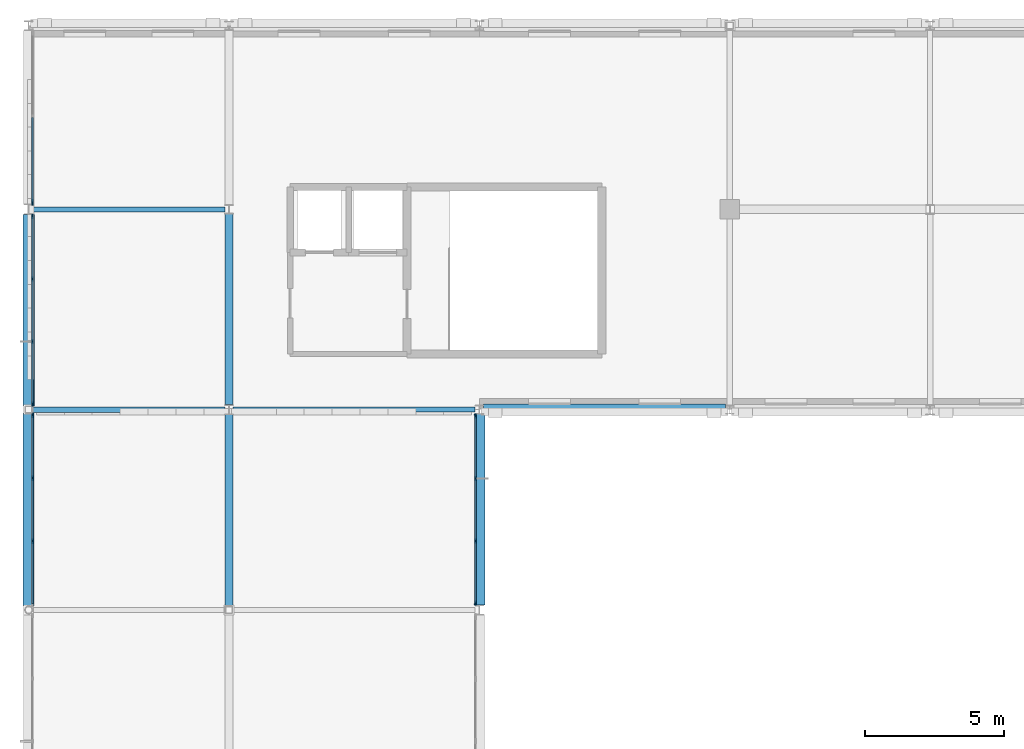
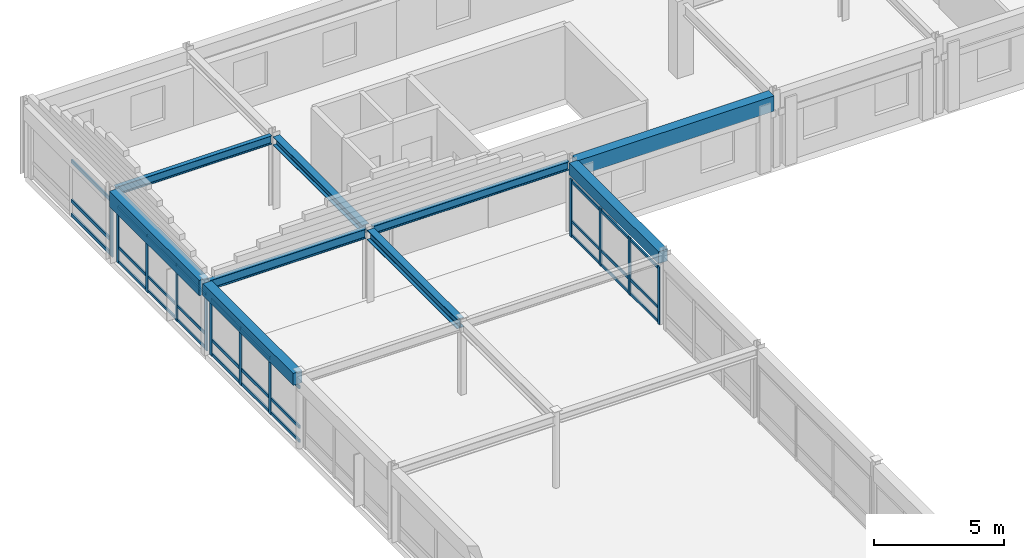
# One storey, part 15 of 52: 42 members, 9 beams, 4 elements without a shape of their own.
"""IFC4 building model written with IfcOpenShell, lengths in metres."""

from ifc_helpers import new_model, si_unit, direction, frame, origin, origin_2d, place, context, subcontext, project, spatial, rectangle, i_section, extrude, material, material_profile, profile_set, type_object, element, aggregate, save


model = new_model("IFC4")

# Units and contexts
model_context = context("Model", 3, precision=1e-05, world=origin(), true_north=direction((0.0, 1.0)))
body_context = subcontext(model_context, "Body", "Model", "MODEL_VIEW")
ifc_project = project(units=[si_unit("LENGTHUNIT", "METRE"), si_unit("AREAUNIT", "SQUARE_METRE"), si_unit("VOLUMEUNIT", "CUBIC_METRE"), si_unit("PLANEANGLEUNIT", "RADIAN"), si_unit("MASSUNIT", "GRAM", prefix="KILO")], contexts=[model_context])

# Site, building, storey
site_placement = place(None, origin())
site = spatial("IfcSite", under=ifc_project, at=site_placement, CompositionType="ELEMENT")
building_placement = place(site_placement, origin())
building = spatial("IfcBuilding", under=site, at=building_placement, Name="Clarverna Civic Hall", CompositionType="ELEMENT")
storey_placement = place(building_placement, frame((0.0, 0.0, 16.800048828125)))
storey = spatial("IfcBuildingStorey", under=building, at=storey_placement, Name="L04", CompositionType="ELEMENT", Elevation=16.800048828125)

# Beams
ifc_material_1 = material(Name="Concrete C35/45", Category="concrete")
ifc_material_profile_1 = material_profile(ifc_material_1, rectangle(XDim=0.419921875, YDim=0.719970703125, at=origin_2d()), Name="RC 420x720")
ifc_profile_set_1 = profile_set([ifc_material_profile_1], Name="Concrete C35/45")
beam_type_1 = type_object("IfcBeamType", Name="B-SP1", PredefinedType="SPANDREL", material=ifc_profile_set_1)
beam_1_placement = place(storey_placement, frame((16.35009765625, 102.199951171875, 3.06005859375), z_axis=(1.0, 0.0, 0.0), x_axis=(0.0, 1.0, 0.0)))
element("IfcBeam", 1, at=beam_1_placement, inside=storey, type_object=beam_type_1, Name="B-SP1-130", PredefinedType="SPANDREL", context=body_context, shape_type="SweptSolid", body=[
    extrude(rectangle(XDim=0.419921875, YDim=0.719970703125, at=origin_2d()), origin(), (0.0, 0.0, 1.0), 8.699951171875),
])
beam_2_placement = place(storey_placement, frame((0.0, 102.324951171875, 3.06005859375), z_axis=(0.0, 1.0, 0.0), x_axis=(-1.0, 0.0, 0.0)))
element("IfcBeam", 2, at=beam_2_placement, inside=storey, type_object=beam_type_1, Name="B-SP1-136", PredefinedType="SPANDREL", context=body_context, shape_type="SweptSolid", body=[
    extrude(rectangle(XDim=0.419921875, YDim=0.719970703125, at=origin_2d()), origin(), (0.0, 0.0, 1.0), 6.89501953125),
])
ifc_material_profile_2 = material_profile(ifc_material_1, rectangle(XDim=0.39990234375, YDim=0.56005859375, at=origin_2d()), Name="RC 400x560")
ifc_profile_set_2 = profile_set([ifc_material_profile_2], Name="Concrete C35/45")
beam_type_2 = type_object("IfcBeamType", Name="B-SP4", PredefinedType="SPANDREL", material=ifc_profile_set_2)
beam_3_placement = place(storey_placement, frame((0.0, 95.136474609375, 3.139892578125), z_axis=(0.0, 1.0, 0.0), x_axis=(-1.0, 0.0, 0.0)))
element("IfcBeam", 3, at=beam_3_placement, inside=storey, type_object=beam_type_2, Name="B-SP4-139", PredefinedType="SPANDREL", context=body_context, shape_type="SweptSolid", body=[
    extrude(rectangle(XDim=0.39990234375, YDim=0.56005859375, at=origin_2d()), origin(), (0.0, 0.0, 1.0), 6.9384765625),
])
beam_4_placement = place(storey_placement, frame((16.199951171875, 95.169921875, 3.139892578125), z_axis=(0.0, 1.0, 0.0), x_axis=(-1.0, 0.0, 0.0)))
element("IfcBeam", 4, at=beam_4_placement, inside=storey, type_object=beam_type_2, Name="B-SP4-141", PredefinedType="SPANDREL", context=body_context, shape_type="SweptSolid", body=[
    extrude(rectangle(XDim=0.39990234375, YDim=0.56005859375, at=origin_2d()), origin(), (0.0, 0.0, 1.0), 6.8701171875),
])
ifc_material_2 = material(Name="Steel S355", Category="steel")
ifc_material_profile_3 = material_profile(ifc_material_2, i_section(OverallWidth=0.18994140625, OverallDepth=0.449951171875, WebThickness=0.009521484375, FlangeThickness=0.0146484375, FilletRadius=0.02099609375, at=origin_2d()), Name="IPE 450")
ifc_profile_set_3 = profile_set([ifc_material_profile_3], Name="Steel S355")
beam_type_3 = type_object("IfcBeamType", Name="B-ST13", PredefinedType="BEAM", material=ifc_profile_set_3)
beam_5_placement = place(storey_placement, frame((0.125, 102.199951171875, 3.195068359375), z_axis=(1.0, 0.0, 0.0), x_axis=(0.0, 1.0, 0.0)))
element("IfcBeam", 5, at=beam_5_placement, inside=storey, type_object=beam_type_3, Name="B-ST13-020", PredefinedType="BEAM", context=body_context, shape_type="SweptSolid", body=[
    extrude(i_section(OverallWidth=0.18994140625, OverallDepth=0.449951171875, WebThickness=0.009521484375, FlangeThickness=0.0146484375, FilletRadius=0.02099609375, at=origin_2d()), origin(), (0.0, 0.0, 1.0), 6.925048828125),
])
ifc_material_profile_4 = material_profile(ifc_material_2, i_section(OverallWidth=0.179931640625, OverallDepth=0.39990234375, WebThickness=0.008544921875, FlangeThickness=0.013427734375, FilletRadius=0.02099609375, at=origin_2d()), Name="IPE 400")
ifc_profile_set_4 = profile_set([ifc_material_profile_4], Name="Steel S355")
beam_type_4 = type_object("IfcBeamType", Name="B-ST14", PredefinedType="BEAM", material=ifc_profile_set_4)
beam_6_placement = place(storey_placement, frame((7.35009765625, 102.199951171875, 3.219970703125), z_axis=(1.0, 0.0, 0.0), x_axis=(0.0, 1.0, 0.0)))
element("IfcBeam", 6, at=beam_6_placement, inside=storey, type_object=beam_type_4, Name="B-ST14-022", PredefinedType="BEAM", context=body_context, shape_type="SweptSolid", body=[
    extrude(i_section(OverallWidth=0.179931640625, OverallDepth=0.39990234375, WebThickness=0.008544921875, FlangeThickness=0.013427734375, FilletRadius=0.02099609375, at=origin_2d()), origin(), (0.0, 0.0, 1.0), 8.699951171875),
])
beam_7_placement = place(storey_placement, frame((0.14990234375, 109.39990234375, 3.219970703125), z_axis=(1.0, 0.0, 0.0), x_axis=(0.0, 1.0, 0.0)))
element("IfcBeam", 7, at=beam_7_placement, inside=storey, type_object=beam_type_4, Name="B-ST14-023", PredefinedType="BEAM", context=body_context, shape_type="SweptSolid", body=[
    extrude(i_section(OverallWidth=0.179931640625, OverallDepth=0.39990234375, WebThickness=0.008544921875, FlangeThickness=0.013427734375, FilletRadius=0.02099609375, at=origin_2d()), origin(), (0.0, 0.0, 1.0), 6.900146484375),
])
ifc_material_profile_5 = material_profile(ifc_material_2, i_section(OverallWidth=0.300048828125, OverallDepth=0.449951171875, WebThickness=0.013916015625, FlangeThickness=0.02587890625, FilletRadius=0.027099609375, at=origin_2d()), Name="HEB 450")
ifc_profile_set_5 = profile_set([ifc_material_profile_5], Name="Steel S355")
beam_type_5 = type_object("IfcBeamType", Name="B-ST3", PredefinedType="BEAM", material=ifc_profile_set_5)
beam_8_placement = place(storey_placement, frame((7.199951171875, 95.125, 3.195068359375), z_axis=(0.0, 1.0, 0.0), x_axis=(-1.0, 0.0, 0.0)))
element("IfcBeam", 8, at=beam_8_placement, inside=storey, type_object=beam_type_5, Name="B-ST3-020", PredefinedType="BEAM", context=body_context, shape_type="SweptSolid", body=[
    extrude(i_section(OverallWidth=0.300048828125, OverallDepth=0.449951171875, WebThickness=0.013916015625, FlangeThickness=0.02587890625, FilletRadius=0.027099609375, at=origin_2d()), origin(), (0.0, 0.0, 1.0), 6.89501953125),
])
ifc_material_profile_6 = material_profile(ifc_material_2, i_section(OverallWidth=0.300048828125, OverallDepth=0.39990234375, WebThickness=0.013427734375, FlangeThickness=0.02392578125, FilletRadius=0.027099609375, at=origin_2d()), Name="HEB 400")
ifc_profile_set_6 = profile_set([ifc_material_profile_6], Name="Steel S355")
beam_type_6 = type_object("IfcBeamType", Name="B-ST4", PredefinedType="BEAM", material=ifc_profile_set_6)
beam_9_placement = place(storey_placement, frame((7.199951171875, 102.3798828125, 3.219970703125), z_axis=(0.0, 1.0, 0.0), x_axis=(-1.0, 0.0, 0.0)))
element("IfcBeam", 9, at=beam_9_placement, inside=storey, type_object=beam_type_6, Name="B-ST4-017", PredefinedType="BEAM", context=body_context, shape_type="SweptSolid", body=[
    extrude(i_section(OverallWidth=0.300048828125, OverallDepth=0.39990234375, WebThickness=0.013427734375, FlangeThickness=0.02392578125, FilletRadius=0.027099609375, at=origin_2d()), origin(), (0.0, 0.0, 1.0), 6.85009765625),
])

# Curtain wall, members
ifc_material_3 = material(Name="Anodised Bronze Architectural Aluminium", Category="aluminium")
curtain_wall_type = type_object("IfcCurtainWallType", Name="CW-05", PredefinedType="USERDEFINED", material=ifc_material_3)
curtain_wall_1_placement = place(storey_placement, origin())
curtain_wall_1 = element("IfcCurtainWall", 10, at=curtain_wall_1_placement, inside=storey, type_object=curtain_wall_type, Name="CW-05-027", ObjectType="UNITISED CURTAIN WALL", PredefinedType="USERDEFINED")
ifc_material_profile_7 = material_profile(ifc_material_3, rectangle(XDim=0.06005859375, YDim=0.179931640625, at=origin_2d()), Name="BRONZE 60x180")
ifc_profile_set_7 = profile_set([ifc_material_profile_7], Name="Anodised Bronze Architectural Aluminium")
member_type_1 = type_object("IfcMemberType", Name="CWM-01", PredefinedType="MULLION", material=ifc_profile_set_7)
member_1_placement = place(storey_placement, frame((0.139892578125, 97.4736328125, 0.0), z_axis=(0.0, 0.0, 1.0), x_axis=(1.0, 0.0, 0.0)))
member_1 = element("IfcMember", 11, at=member_1_placement, type_object=member_type_1, Name="CWM-01-187", PredefinedType="MULLION", context=body_context, shape_type="SweptSolid", body=[
    extrude(rectangle(XDim=0.06005859375, YDim=0.179931640625, at=origin_2d()), origin(), (0.0, 0.0, 1.0), 2.699951171875),
])
member_2_placement = place(storey_placement, frame((0.139892578125, 99.73779296875, 0.0), z_axis=(0.0, 0.0, 1.0), x_axis=(1.0, 0.0, 0.0)))
member_2 = element("IfcMember", 12, at=member_2_placement, type_object=member_type_1, Name="CWM-01-188", PredefinedType="MULLION", context=body_context, shape_type="SweptSolid", body=[
    extrude(rectangle(XDim=0.06005859375, YDim=0.179931640625, at=origin_2d()), origin(), (0.0, 0.0, 1.0), 2.699951171875),
])
member_3_placement = place(storey_placement, frame((0.139892578125, 102.001953125, 0.0), z_axis=(0.0, 0.0, 1.0), x_axis=(1.0, 0.0, 0.0)))
member_3 = element("IfcMember", 13, at=member_3_placement, type_object=member_type_1, Name="CWM-01-189", PredefinedType="MULLION", context=body_context, shape_type="SweptSolid", body=[
    extrude(rectangle(XDim=0.06005859375, YDim=0.179931640625, at=origin_2d()), origin(), (0.0, 0.0, 1.0), 2.699951171875),
])

curtain_wall_2_placement = place(storey_placement, origin())
curtain_wall_2 = element("IfcCurtainWall", 14, at=curtain_wall_2_placement, inside=storey, type_object=curtain_wall_type, Name="CW-05-028", ObjectType="UNITISED CURTAIN WALL", PredefinedType="USERDEFINED")
ifc_material_profile_8 = material_profile(ifc_material_3, rectangle(XDim=0.06005859375, YDim=0.159912109375, at=origin_2d()), Name="BRONZE 60x160")
ifc_profile_set_8 = profile_set([ifc_material_profile_8], Name="Anodised Bronze Architectural Aluminium")
member_type_2 = type_object("IfcMemberType", Name="CWM-02", PredefinedType="MULLION", material=ifc_profile_set_8)
member_4_placement = place(storey_placement, frame((0.139892578125, 102.39794921875, 0.0), z_axis=(0.0, 0.0, 1.0), x_axis=(1.0, 0.0, 0.0)))
member_4 = element("IfcMember", 15, at=member_4_placement, type_object=member_type_2, Name="CWM-02-215", PredefinedType="MULLION", context=body_context, shape_type="SweptSolid", body=[
    extrude(rectangle(XDim=0.06005859375, YDim=0.159912109375, at=origin_2d()), origin(), (0.0, 0.0, 1.0), 2.699951171875),
])
member_5_placement = place(storey_placement, frame((0.139892578125, 104.647705078125, 0.0), z_axis=(0.0, 0.0, 1.0), x_axis=(1.0, 0.0, 0.0)))
member_5 = element("IfcMember", 16, at=member_5_placement, type_object=member_type_2, Name="CWM-02-216", PredefinedType="MULLION", context=body_context, shape_type="SweptSolid", body=[
    extrude(rectangle(XDim=0.06005859375, YDim=0.159912109375, at=origin_2d()), origin(), (0.0, 0.0, 1.0), 2.699951171875),
])
member_6_placement = place(storey_placement, frame((0.139892578125, 106.897216796875, 0.0), z_axis=(0.0, 0.0, 1.0), x_axis=(1.0, 0.0, 0.0)))
member_6 = element("IfcMember", 17, at=member_6_placement, type_object=member_type_2, Name="CWM-02-217", PredefinedType="MULLION", context=body_context, shape_type="SweptSolid", body=[
    extrude(rectangle(XDim=0.06005859375, YDim=0.159912109375, at=origin_2d()), origin(), (0.0, 0.0, 1.0), 2.699951171875),
])
member_7_placement = place(storey_placement, frame((0.139892578125, 109.14697265625, 0.0), z_axis=(0.0, 0.0, 1.0), x_axis=(1.0, 0.0, 0.0)))
member_7 = element("IfcMember", 18, at=member_7_placement, type_object=member_type_2, Name="CWM-02-218", PredefinedType="MULLION", context=body_context, shape_type="SweptSolid", body=[
    extrude(rectangle(XDim=0.06005859375, YDim=0.159912109375, at=origin_2d()), origin(), (0.0, 0.0, 1.0), 2.699951171875),
])

curtain_wall_3_placement = place(storey_placement, origin())
curtain_wall_3 = element("IfcCurtainWall", 19, at=curtain_wall_3_placement, inside=storey, type_object=curtain_wall_type, Name="CW-05-032", ObjectType="UNITISED CURTAIN WALL", PredefinedType="USERDEFINED")
member_8_placement = place(storey_placement, frame((16.06005859375, 101.967041015625, 0.0), z_axis=(0.0, 0.0, 1.0), x_axis=(1.0, 0.0, 0.0)))
member_8 = element("IfcMember", 20, at=member_8_placement, type_object=member_type_2, Name="CWM-02-219", PredefinedType="MULLION", context=body_context, shape_type="SweptSolid", body=[
    extrude(rectangle(XDim=0.06005859375, YDim=0.159912109375, at=origin_2d()), origin(), (0.0, 0.0, 1.0), 2.699951171875),
])
member_9_placement = place(storey_placement, frame((16.06005859375, 99.7255859375, 0.0), z_axis=(0.0, 0.0, 1.0), x_axis=(1.0, 0.0, 0.0)))
member_9 = element("IfcMember", 21, at=member_9_placement, type_object=member_type_2, Name="CWM-02-220", PredefinedType="MULLION", context=body_context, shape_type="SweptSolid", body=[
    extrude(rectangle(XDim=0.06005859375, YDim=0.159912109375, at=origin_2d()), origin(), (0.0, 0.0, 1.0), 2.699951171875),
])
member_10_placement = place(storey_placement, frame((16.06005859375, 97.484375, 0.0), z_axis=(0.0, 0.0, 1.0), x_axis=(1.0, 0.0, 0.0)))
member_10 = element("IfcMember", 22, at=member_10_placement, type_object=member_type_2, Name="CWM-02-221", PredefinedType="MULLION", context=body_context, shape_type="SweptSolid", body=[
    extrude(rectangle(XDim=0.06005859375, YDim=0.159912109375, at=origin_2d()), origin(), (0.0, 0.0, 1.0), 2.699951171875),
])
member_11_placement = place(storey_placement, frame((16.06005859375, 95.242919921875, 0.0), z_axis=(0.0, 0.0, 1.0), x_axis=(1.0, 0.0, 0.0)))
member_11 = element("IfcMember", 23, at=member_11_placement, type_object=member_type_2, Name="CWM-02-222", PredefinedType="MULLION", context=body_context, shape_type="SweptSolid", body=[
    extrude(rectangle(XDim=0.06005859375, YDim=0.159912109375, at=origin_2d()), origin(), (0.0, 0.0, 1.0), 2.699951171875),
])

# Curtain wall, member
curtain_wall_4_placement = place(storey_placement, origin())
curtain_wall_4 = element("IfcCurtainWall", 24, at=curtain_wall_4_placement, inside=storey, type_object=curtain_wall_type, Name="CW-05-029", ObjectType="UNITISED CURTAIN WALL", PredefinedType="USERDEFINED")
ifc_material_profile_9 = material_profile(ifc_material_3, rectangle(XDim=0.06494140625, YDim=0.199951171875, at=origin_2d()), Name="BRONZE 65x200")
ifc_profile_set_9 = profile_set([ifc_material_profile_9], Name="Anodised Bronze Architectural Aluminium")
member_type_3 = type_object("IfcMemberType", Name="CWM-03", PredefinedType="MULLION", material=ifc_profile_set_9)
member_12_placement = place(storey_placement, frame((0.139892578125, 109.653076171875, 0.0), z_axis=(0.0, 0.0, 1.0), x_axis=(1.0, 0.0, 0.0)))
member_12 = element("IfcMember", 25, at=member_12_placement, type_object=member_type_3, Name="CWM-03-192", PredefinedType="MULLION", context=body_context, shape_type="SweptSolid", body=[
    extrude(rectangle(XDim=0.06494140625, YDim=0.199951171875, at=origin_2d()), origin(), (0.0, 0.0, 1.0), 2.699951171875),
])

# Member
ifc_material_profile_10 = material_profile(ifc_material_3, rectangle(XDim=0.06005859375, YDim=0.14990234375, at=origin_2d()), Name="BRONZE 60x150")
ifc_profile_set_10 = profile_set([ifc_material_profile_10], Name="Anodised Bronze Architectural Aluminium")
member_type_4 = type_object("IfcMemberType", Name="CWT-01", PredefinedType="USERDEFINED", material=ifc_profile_set_10)
member_13_placement = place(storey_placement, frame((0.139892578125, 95.224609375, 0.094970703125), z_axis=(0.0, 1.0, 0.0), x_axis=(-1.0, 0.0, 0.0)))
member_13 = element("IfcMember", 26, at=member_13_placement, type_object=member_type_4, Name="CWT-01-397", ObjectType="TRANSOM", PredefinedType="USERDEFINED", context=body_context, shape_type="SweptSolid", body=[
    extrude(rectangle(XDim=0.06005859375, YDim=0.14990234375, at=origin_2d()), origin(), (0.0, 0.0, 1.0), 2.234130859375),
])

member_14_placement = place(storey_placement, frame((0.139892578125, 95.224609375, 0.75), z_axis=(0.0, 1.0, 0.0), x_axis=(-1.0, 0.0, 0.0)))
member_14 = element("IfcMember", 27, at=member_14_placement, type_object=member_type_4, Name="CWT-01-398", ObjectType="TRANSOM", PredefinedType="USERDEFINED", context=body_context, shape_type="SweptSolid", body=[
    extrude(rectangle(XDim=0.06005859375, YDim=0.14990234375, at=origin_2d()), origin(), (0.0, 0.0, 1.0), 2.234130859375),
])

member_15_placement = place(storey_placement, frame((0.139892578125, 95.224609375, 2.60498046875), z_axis=(0.0, 1.0, 0.0), x_axis=(-1.0, 0.0, 0.0)))
member_15 = element("IfcMember", 28, at=member_15_placement, type_object=member_type_4, Name="CWT-01-399", ObjectType="TRANSOM", PredefinedType="USERDEFINED", context=body_context, shape_type="SweptSolid", body=[
    extrude(rectangle(XDim=0.06005859375, YDim=0.14990234375, at=origin_2d()), origin(), (0.0, 0.0, 1.0), 2.234130859375),
])

member_16_placement = place(storey_placement, frame((0.139892578125, 97.48876953125, 0.094970703125), z_axis=(0.0, 1.0, 0.0), x_axis=(-1.0, 0.0, 0.0)))
member_16 = element("IfcMember", 29, at=member_16_placement, type_object=member_type_4, Name="CWT-01-400", ObjectType="TRANSOM", PredefinedType="USERDEFINED", context=body_context, shape_type="SweptSolid", body=[
    extrude(rectangle(XDim=0.06005859375, YDim=0.14990234375, at=origin_2d()), origin(), (0.0, 0.0, 1.0), 2.234130859375),
])

member_17_placement = place(storey_placement, frame((0.139892578125, 97.48876953125, 0.75), z_axis=(0.0, 1.0, 0.0), x_axis=(-1.0, 0.0, 0.0)))
member_17 = element("IfcMember", 30, at=member_17_placement, type_object=member_type_4, Name="CWT-01-401", ObjectType="TRANSOM", PredefinedType="USERDEFINED", context=body_context, shape_type="SweptSolid", body=[
    extrude(rectangle(XDim=0.06005859375, YDim=0.14990234375, at=origin_2d()), origin(), (0.0, 0.0, 1.0), 2.234130859375),
])

member_18_placement = place(storey_placement, frame((0.139892578125, 97.48876953125, 2.60498046875), z_axis=(0.0, 1.0, 0.0), x_axis=(-1.0, 0.0, 0.0)))
member_18 = element("IfcMember", 31, at=member_18_placement, type_object=member_type_4, Name="CWT-01-402", ObjectType="TRANSOM", PredefinedType="USERDEFINED", context=body_context, shape_type="SweptSolid", body=[
    extrude(rectangle(XDim=0.06005859375, YDim=0.14990234375, at=origin_2d()), origin(), (0.0, 0.0, 1.0), 2.234130859375),
])

member_19_placement = place(storey_placement, frame((0.139892578125, 99.752685546875, 0.094970703125), z_axis=(0.0, 1.0, 0.0), x_axis=(-1.0, 0.0, 0.0)))
member_19 = element("IfcMember", 32, at=member_19_placement, type_object=member_type_4, Name="CWT-01-403", ObjectType="TRANSOM", PredefinedType="USERDEFINED", context=body_context, shape_type="SweptSolid", body=[
    extrude(rectangle(XDim=0.06005859375, YDim=0.14990234375, at=origin_2d()), origin(), (0.0, 0.0, 1.0), 2.234375),
])

member_20_placement = place(storey_placement, frame((0.139892578125, 99.752685546875, 0.75), z_axis=(0.0, 1.0, 0.0), x_axis=(-1.0, 0.0, 0.0)))
member_20 = element("IfcMember", 33, at=member_20_placement, type_object=member_type_4, Name="CWT-01-404", ObjectType="TRANSOM", PredefinedType="USERDEFINED", context=body_context, shape_type="SweptSolid", body=[
    extrude(rectangle(XDim=0.06005859375, YDim=0.14990234375, at=origin_2d()), origin(), (0.0, 0.0, 1.0), 2.234375),
])

member_21_placement = place(storey_placement, frame((0.139892578125, 99.752685546875, 2.60498046875), z_axis=(0.0, 1.0, 0.0), x_axis=(-1.0, 0.0, 0.0)))
member_21 = element("IfcMember", 34, at=member_21_placement, type_object=member_type_4, Name="CWT-01-405", ObjectType="TRANSOM", PredefinedType="USERDEFINED", context=body_context, shape_type="SweptSolid", body=[
    extrude(rectangle(XDim=0.06005859375, YDim=0.14990234375, at=origin_2d()), origin(), (0.0, 0.0, 1.0), 2.234375),
])

aggregate(curtain_wall_1, [member_1, member_2, member_3, member_13, member_14, member_15, member_16, member_17, member_18, member_19, member_20, member_21])

ifc_material_profile_11 = material_profile(ifc_material_3, rectangle(XDim=0.06005859375, YDim=0.1298828125, at=origin_2d()), Name="BRONZE 60x130")
ifc_profile_set_11 = profile_set([ifc_material_profile_11], Name="Anodised Bronze Architectural Aluminium")
member_type_5 = type_object("IfcMemberType", Name="CWT-02", PredefinedType="USERDEFINED", material=ifc_profile_set_11)
member_22_placement = place(storey_placement, frame((0.139892578125, 102.4130859375, 0.094970703125), z_axis=(0.0, 1.0, 0.0), x_axis=(-1.0, 0.0, 0.0)))
member_22 = element("IfcMember", 35, at=member_22_placement, type_object=member_type_5, Name="CWT-02-457", ObjectType="TRANSOM", PredefinedType="USERDEFINED", context=body_context, shape_type="SweptSolid", body=[
    extrude(rectangle(XDim=0.06005859375, YDim=0.1298828125, at=origin_2d()), origin(), (0.0, 0.0, 1.0), 2.2197265625),
])

member_23_placement = place(storey_placement, frame((0.139892578125, 102.4130859375, 0.75), z_axis=(0.0, 1.0, 0.0), x_axis=(-1.0, 0.0, 0.0)))
member_23 = element("IfcMember", 36, at=member_23_placement, type_object=member_type_5, Name="CWT-02-458", ObjectType="TRANSOM", PredefinedType="USERDEFINED", context=body_context, shape_type="SweptSolid", body=[
    extrude(rectangle(XDim=0.06005859375, YDim=0.1298828125, at=origin_2d()), origin(), (0.0, 0.0, 1.0), 2.2197265625),
])

member_24_placement = place(storey_placement, frame((0.139892578125, 102.4130859375, 2.60498046875), z_axis=(0.0, 1.0, 0.0), x_axis=(-1.0, 0.0, 0.0)))
member_24 = element("IfcMember", 37, at=member_24_placement, type_object=member_type_5, Name="CWT-02-459", ObjectType="TRANSOM", PredefinedType="USERDEFINED", context=body_context, shape_type="SweptSolid", body=[
    extrude(rectangle(XDim=0.06005859375, YDim=0.1298828125, at=origin_2d()), origin(), (0.0, 0.0, 1.0), 2.2197265625),
])

member_25_placement = place(storey_placement, frame((0.139892578125, 104.66259765625, 0.094970703125), z_axis=(0.0, 1.0, 0.0), x_axis=(-1.0, 0.0, 0.0)))
member_25 = element("IfcMember", 38, at=member_25_placement, type_object=member_type_5, Name="CWT-02-460", ObjectType="TRANSOM", PredefinedType="USERDEFINED", context=body_context, shape_type="SweptSolid", body=[
    extrude(rectangle(XDim=0.06005859375, YDim=0.1298828125, at=origin_2d()), origin(), (0.0, 0.0, 1.0), 2.2197265625),
])

member_26_placement = place(storey_placement, frame((0.139892578125, 104.66259765625, 0.75), z_axis=(0.0, 1.0, 0.0), x_axis=(-1.0, 0.0, 0.0)))
member_26 = element("IfcMember", 39, at=member_26_placement, type_object=member_type_5, Name="CWT-02-461", ObjectType="TRANSOM", PredefinedType="USERDEFINED", context=body_context, shape_type="SweptSolid", body=[
    extrude(rectangle(XDim=0.06005859375, YDim=0.1298828125, at=origin_2d()), origin(), (0.0, 0.0, 1.0), 2.2197265625),
])

member_27_placement = place(storey_placement, frame((0.139892578125, 104.66259765625, 2.60498046875), z_axis=(0.0, 1.0, 0.0), x_axis=(-1.0, 0.0, 0.0)))
member_27 = element("IfcMember", 40, at=member_27_placement, type_object=member_type_5, Name="CWT-02-462", ObjectType="TRANSOM", PredefinedType="USERDEFINED", context=body_context, shape_type="SweptSolid", body=[
    extrude(rectangle(XDim=0.06005859375, YDim=0.1298828125, at=origin_2d()), origin(), (0.0, 0.0, 1.0), 2.2197265625),
])

member_28_placement = place(storey_placement, frame((0.139892578125, 106.912353515625, 0.094970703125), z_axis=(0.0, 1.0, 0.0), x_axis=(-1.0, 0.0, 0.0)))
member_28 = element("IfcMember", 41, at=member_28_placement, type_object=member_type_5, Name="CWT-02-463", ObjectType="TRANSOM", PredefinedType="USERDEFINED", context=body_context, shape_type="SweptSolid", body=[
    extrude(rectangle(XDim=0.06005859375, YDim=0.1298828125, at=origin_2d()), origin(), (0.0, 0.0, 1.0), 2.2197265625),
])

member_29_placement = place(storey_placement, frame((0.139892578125, 106.912353515625, 0.75), z_axis=(0.0, 1.0, 0.0), x_axis=(-1.0, 0.0, 0.0)))
member_29 = element("IfcMember", 42, at=member_29_placement, type_object=member_type_5, Name="CWT-02-464", ObjectType="TRANSOM", PredefinedType="USERDEFINED", context=body_context, shape_type="SweptSolid", body=[
    extrude(rectangle(XDim=0.06005859375, YDim=0.1298828125, at=origin_2d()), origin(), (0.0, 0.0, 1.0), 2.2197265625),
])

member_30_placement = place(storey_placement, frame((0.139892578125, 106.912353515625, 2.60498046875), z_axis=(0.0, 1.0, 0.0), x_axis=(-1.0, 0.0, 0.0)))
member_30 = element("IfcMember", 43, at=member_30_placement, type_object=member_type_5, Name="CWT-02-465", ObjectType="TRANSOM", PredefinedType="USERDEFINED", context=body_context, shape_type="SweptSolid", body=[
    extrude(rectangle(XDim=0.06005859375, YDim=0.1298828125, at=origin_2d()), origin(), (0.0, 0.0, 1.0), 2.2197265625),
])

aggregate(curtain_wall_2, [member_4, member_5, member_6, member_7, member_22, member_23, member_24, member_25, member_26, member_27, member_28, member_29, member_30])

member_31_placement = place(storey_placement, frame((16.06005859375, 101.951904296875, 0.094970703125), z_axis=(0.0, -1.0, 0.0), x_axis=(1.0, 0.0, 0.0)))
member_31 = element("IfcMember", 44, at=member_31_placement, type_object=member_type_5, Name="CWT-02-466", ObjectType="TRANSOM", PredefinedType="USERDEFINED", context=body_context, shape_type="SweptSolid", body=[
    extrude(rectangle(XDim=0.06005859375, YDim=0.1298828125, at=origin_2d()), origin(), (0.0, 0.0, 1.0), 2.211181640625),
])

member_32_placement = place(storey_placement, frame((16.06005859375, 101.951904296875, 0.75), z_axis=(0.0, -1.0, 0.0), x_axis=(1.0, 0.0, 0.0)))
member_32 = element("IfcMember", 45, at=member_32_placement, type_object=member_type_5, Name="CWT-02-467", ObjectType="TRANSOM", PredefinedType="USERDEFINED", context=body_context, shape_type="SweptSolid", body=[
    extrude(rectangle(XDim=0.06005859375, YDim=0.1298828125, at=origin_2d()), origin(), (0.0, 0.0, 1.0), 2.211181640625),
])

member_33_placement = place(storey_placement, frame((16.06005859375, 101.951904296875, 2.60498046875), z_axis=(0.0, -1.0, 0.0), x_axis=(1.0, 0.0, 0.0)))
member_33 = element("IfcMember", 46, at=member_33_placement, type_object=member_type_5, Name="CWT-02-468", ObjectType="TRANSOM", PredefinedType="USERDEFINED", context=body_context, shape_type="SweptSolid", body=[
    extrude(rectangle(XDim=0.06005859375, YDim=0.1298828125, at=origin_2d()), origin(), (0.0, 0.0, 1.0), 2.211181640625),
])

member_34_placement = place(storey_placement, frame((16.06005859375, 99.710693359375, 0.094970703125), z_axis=(0.0, -1.0, 0.0), x_axis=(1.0, 0.0, 0.0)))
member_34 = element("IfcMember", 47, at=member_34_placement, type_object=member_type_5, Name="CWT-02-469", ObjectType="TRANSOM", PredefinedType="USERDEFINED", context=body_context, shape_type="SweptSolid", body=[
    extrude(rectangle(XDim=0.06005859375, YDim=0.1298828125, at=origin_2d()), origin(), (0.0, 0.0, 1.0), 2.21142578125),
])

member_35_placement = place(storey_placement, frame((16.06005859375, 99.710693359375, 0.75), z_axis=(0.0, -1.0, 0.0), x_axis=(1.0, 0.0, 0.0)))
member_35 = element("IfcMember", 48, at=member_35_placement, type_object=member_type_5, Name="CWT-02-470", ObjectType="TRANSOM", PredefinedType="USERDEFINED", context=body_context, shape_type="SweptSolid", body=[
    extrude(rectangle(XDim=0.06005859375, YDim=0.1298828125, at=origin_2d()), origin(), (0.0, 0.0, 1.0), 2.21142578125),
])

member_36_placement = place(storey_placement, frame((16.06005859375, 99.710693359375, 2.60498046875), z_axis=(0.0, -1.0, 0.0), x_axis=(1.0, 0.0, 0.0)))
member_36 = element("IfcMember", 49, at=member_36_placement, type_object=member_type_5, Name="CWT-02-471", ObjectType="TRANSOM", PredefinedType="USERDEFINED", context=body_context, shape_type="SweptSolid", body=[
    extrude(rectangle(XDim=0.06005859375, YDim=0.1298828125, at=origin_2d()), origin(), (0.0, 0.0, 1.0), 2.21142578125),
])

member_37_placement = place(storey_placement, frame((16.06005859375, 97.46923828125, 0.094970703125), z_axis=(0.0, -1.0, 0.0), x_axis=(1.0, 0.0, 0.0)))
member_37 = element("IfcMember", 50, at=member_37_placement, type_object=member_type_5, Name="CWT-02-472", ObjectType="TRANSOM", PredefinedType="USERDEFINED", context=body_context, shape_type="SweptSolid", body=[
    extrude(rectangle(XDim=0.06005859375, YDim=0.1298828125, at=origin_2d()), origin(), (0.0, 0.0, 1.0), 2.211181640625),
])

member_38_placement = place(storey_placement, frame((16.06005859375, 97.46923828125, 0.75), z_axis=(0.0, -1.0, 0.0), x_axis=(1.0, 0.0, 0.0)))
member_38 = element("IfcMember", 51, at=member_38_placement, type_object=member_type_5, Name="CWT-02-473", ObjectType="TRANSOM", PredefinedType="USERDEFINED", context=body_context, shape_type="SweptSolid", body=[
    extrude(rectangle(XDim=0.06005859375, YDim=0.1298828125, at=origin_2d()), origin(), (0.0, 0.0, 1.0), 2.211181640625),
])

member_39_placement = place(storey_placement, frame((16.06005859375, 97.46923828125, 2.60498046875), z_axis=(0.0, -1.0, 0.0), x_axis=(1.0, 0.0, 0.0)))
member_39 = element("IfcMember", 52, at=member_39_placement, type_object=member_type_5, Name="CWT-02-474", ObjectType="TRANSOM", PredefinedType="USERDEFINED", context=body_context, shape_type="SweptSolid", body=[
    extrude(rectangle(XDim=0.06005859375, YDim=0.1298828125, at=origin_2d()), origin(), (0.0, 0.0, 1.0), 2.211181640625),
])

aggregate(curtain_wall_3, [member_8, member_9, member_10, member_11, member_31, member_32, member_33, member_34, member_35, member_36, member_37, member_38, member_39])

ifc_material_profile_12 = material_profile(ifc_material_3, rectangle(XDim=0.06494140625, YDim=0.169921875, at=origin_2d()), Name="BRONZE 65x170")
ifc_profile_set_12 = profile_set([ifc_material_profile_12], Name="Anodised Bronze Architectural Aluminium")
member_type_6 = type_object("IfcMemberType", Name="CWT-03", PredefinedType="USERDEFINED", material=ifc_profile_set_12)
member_40_placement = place(storey_placement, frame((0.139892578125, 109.66796875, 0.094970703125), z_axis=(0.0, 1.0, 0.0), x_axis=(-1.0, 0.0, 0.0)))
member_40 = element("IfcMember", 53, at=member_40_placement, type_object=member_type_6, Name="CWT-03-409", ObjectType="TRANSOM", PredefinedType="USERDEFINED", context=body_context, shape_type="SweptSolid", body=[
    extrude(rectangle(XDim=0.06494140625, YDim=0.169921875, at=origin_2d()), origin(), (0.0, 0.0, 1.0), 3.02197265625),
])

member_41_placement = place(storey_placement, frame((0.139892578125, 109.66796875, 0.75), z_axis=(0.0, 1.0, 0.0), x_axis=(-1.0, 0.0, 0.0)))
member_41 = element("IfcMember", 54, at=member_41_placement, type_object=member_type_6, Name="CWT-03-410", ObjectType="TRANSOM", PredefinedType="USERDEFINED", context=body_context, shape_type="SweptSolid", body=[
    extrude(rectangle(XDim=0.06494140625, YDim=0.169921875, at=origin_2d()), origin(), (0.0, 0.0, 1.0), 3.02197265625),
])

member_42_placement = place(storey_placement, frame((0.139892578125, 109.66796875, 2.60498046875), z_axis=(0.0, 1.0, 0.0), x_axis=(-1.0, 0.0, 0.0)))
member_42 = element("IfcMember", 55, at=member_42_placement, type_object=member_type_6, Name="CWT-03-411", ObjectType="TRANSOM", PredefinedType="USERDEFINED", context=body_context, shape_type="SweptSolid", body=[
    extrude(rectangle(XDim=0.06494140625, YDim=0.169921875, at=origin_2d()), origin(), (0.0, 0.0, 1.0), 3.02197265625),
])

aggregate(curtain_wall_4, [member_12, member_40, member_41, member_42])

save(model, "model.ifc")
